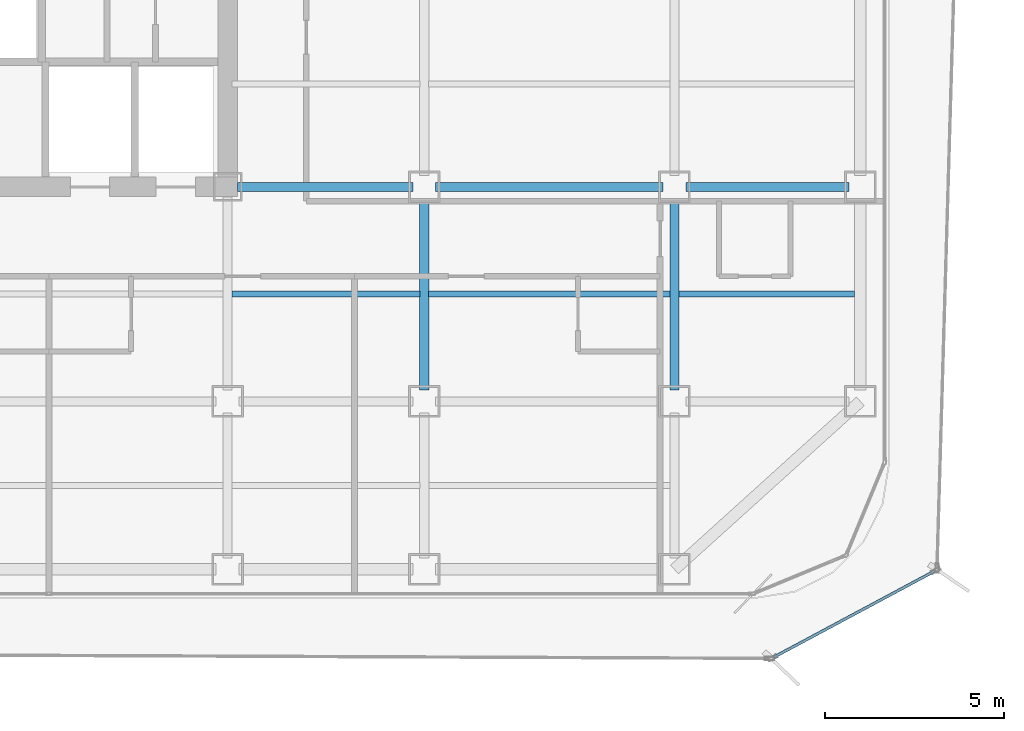
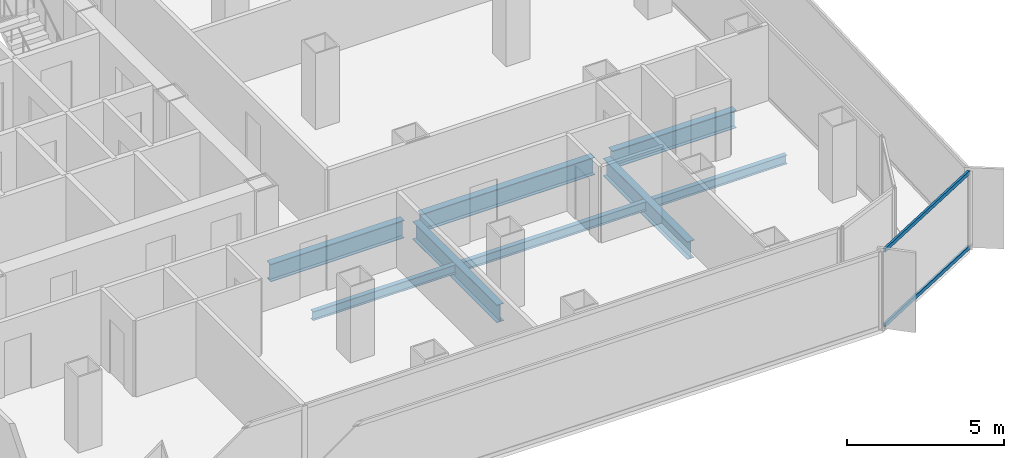
# One storey, part 7 of 21: 8 beams, 2 members, 1 element without a shape of its own.
"""IFC4 building model written with IfcOpenShell, lengths in metres."""

from ifc_helpers import new_model, si_unit, direction, frame, origin, origin_2d, place, context, subcontext, project, spatial, hollow_rectangle, i_section, extrude, source, transform, mapped, material, layer, layer_set, material_profile, profile_set, type_object, element, aggregate, save


model = new_model("IFC4")

# Units and contexts
model_context = context("Model", 3, precision=1e-05, world=origin(), true_north=direction((0.0, 1.0)))
body_context = subcontext(model_context, "Body", "Model", "MODEL_VIEW")
ifc_project = project(units=[si_unit("LENGTHUNIT", "METRE"), si_unit("AREAUNIT", "SQUARE_METRE"), si_unit("VOLUMEUNIT", "CUBIC_METRE"), si_unit("PLANEANGLEUNIT", "RADIAN"), si_unit("MASSUNIT", "GRAM", prefix="KILO")], contexts=[model_context])

# Site, building, storey
site_placement = place(None, origin())
site = spatial("IfcSite", under=ifc_project, at=site_placement, CompositionType="ELEMENT")
building_placement = place(site_placement, origin())
building = spatial("IfcBuilding", under=site, at=building_placement, Name="Kolveth Station Tower", CompositionType="ELEMENT")
storey_placement = place(building_placement, frame((0.0, 0.0, 108.699951171875)))
storey = spatial("IfcBuildingStorey", under=building, at=storey_placement, Name="L29", CompositionType="ELEMENT", Elevation=108.699951171875)

# Beams
ifc_material_1 = material(Name="Steel S355", Category="steel")
ifc_material_profile_1 = material_profile(ifc_material_1, i_section(OverallWidth=0.25390625, OverallDepth=0.68798828125, WebThickness=0.01318359375, FlangeThickness=0.02099609375, at=origin_2d()), Name="W690x152")
ifc_profile_set_1 = profile_set([ifc_material_profile_1], Name="Steel S355")
beam_type_1 = type_object("IfcBeamType", Name="Beam_B4", PredefinedType="BEAM", material=ifc_profile_set_1)
shared_shape_1 = source(origin(), body_context, "Body", "SweptSolid", [
    extrude(i_section(OverallWidth=0.25390625, OverallDepth=0.68798828125, WebThickness=0.01318359375, FlangeThickness=0.02099609375, at=origin_2d()), origin(), (0.0, 0.0, 1.0), 4.559814453125),
])
beam_1_placement = place(storey_placement, frame((41.320068359375, 11.5, -0.593994140625), z_axis=(1.0, 0.0, 0.0), x_axis=(0.0, 1.0, 0.0)))
element("IfcBeam", 1, at=beam_1_placement, inside=storey, type_object=beam_type_1, Name="L29 Primary Girder BM-L29-GY115-7", PredefinedType="BEAM", context=body_context, shape_type="MappedRepresentation", body=[
    mapped(shared_shape_1, transform((0.0, 0.0, 0.0), x_axis=(1.0, 0.0, 0.0), y_axis=(0.0, 1.0, 0.0), z_axis=(0.0, 0.0, 1.0), scale=1.0)),
])
shared_shape_2 = source(origin(), body_context, "Body", "SweptSolid", [
    extrude(i_section(OverallWidth=0.25390625, OverallDepth=0.68798828125, WebThickness=0.01318359375, FlangeThickness=0.02099609375, at=origin_2d()), origin(), (0.0, 0.0, 1.0), 6.35986328125),
])
beam_2_placement = place(storey_placement, frame((34.320068359375, 11.5, -0.593994140625), z_axis=(1.0, 0.0, 0.0), x_axis=(0.0, 1.0, 0.0)))
element("IfcBeam", 2, at=beam_2_placement, inside=storey, type_object=beam_type_1, Name="L29 Primary Girder BM-L29-GY115-6", PredefinedType="BEAM", context=body_context, shape_type="MappedRepresentation", body=[
    mapped(shared_shape_2, transform((0.0, 0.0, 0.0), x_axis=(1.0, 0.0, 0.0), y_axis=(0.0, 1.0, 0.0), z_axis=(0.0, 0.0, 1.0), scale=1.0)),
])
shared_shape_3 = source(origin(), body_context, "Body", "SweptSolid", [
    extrude(i_section(OverallWidth=0.25390625, OverallDepth=0.68798828125, WebThickness=0.01318359375, FlangeThickness=0.02099609375, at=origin_2d()), origin(), (0.0, 0.0, 1.0), 4.89990234375),
])
beam_3_placement = place(storey_placement, frame((28.780029296875, 11.5, -0.593994140625), z_axis=(1.0, 0.0, 0.0), x_axis=(0.0, 1.0, 0.0)))
element("IfcBeam", 3, at=beam_3_placement, inside=storey, type_object=beam_type_1, Name="L29 Primary Girder BM-L29-GY115-5", PredefinedType="BEAM", context=body_context, shape_type="MappedRepresentation", body=[
    mapped(shared_shape_3, transform((0.0, 0.0, 0.0), x_axis=(1.0, 0.0, 0.0), y_axis=(0.0, 1.0, 0.0), z_axis=(0.0, 0.0, 1.0), scale=1.0)),
])
shared_shape_4 = source(origin(), body_context, "Body", "SweptSolid", [
    extrude(i_section(OverallWidth=0.25390625, OverallDepth=0.68798828125, WebThickness=0.01318359375, FlangeThickness=0.02099609375, at=origin_2d()), origin(), (0.0, 0.0, 1.0), 5.35986328125),
])
for number, where, z_axis, x_axis, name in (
    (4, (34.0, 5.820068359375, -0.593994140625), (0.0, 1.0, 0.0), (-1.0, 0.0, 0.0), "L29 Primary Girder BM-L29-GX340-2"),
    (5, (41.0, 5.820068359375, -0.593994140625), (0.0, 1.0, 0.0), (-1.0, 0.0, 0.0), "L29 Primary Girder BM-L29-GX410-2"),
):
    element("IfcBeam", number, at=place(storey_placement, frame(where, z_axis=z_axis, x_axis=x_axis)), inside=storey, type_object=beam_type_1, Name=name, PredefinedType="BEAM", context=body_context, shape_type="MappedRepresentation", body=[
        mapped(shared_shape_4, transform((0.0, 0.0, 0.0), x_axis=(1.0, 0.0, 0.0), y_axis=(0.0, 1.0, 0.0), z_axis=(0.0, 0.0, 1.0), scale=1.0)),
    ])
ifc_material_profile_2 = material_profile(ifc_material_1, i_section(OverallWidth=0.1708984375, OverallDepth=0.35205078125, WebThickness=0.0068359375, FlangeThickness=0.009765625, at=origin_2d()), Name="W360x44")
ifc_profile_set_2 = profile_set([ifc_material_profile_2], Name="Steel S355")
beam_type_2 = type_object("IfcBeamType", Name="Beam_J2", PredefinedType="JOIST", material=ifc_profile_set_2)
shared_shape_5 = source(origin(), body_context, "Body", "SweptSolid", [
    extrude(i_section(OverallWidth=0.1708984375, OverallDepth=0.35205078125, WebThickness=0.0068359375, FlangeThickness=0.009765625, at=origin_2d()), origin(), (0.0, 0.0, 1.0), 4.9150390625),
])
beam_4_placement = place(storey_placement, frame((41.125, 8.5, -0.426025390625), z_axis=(1.0, 0.0, 0.0), x_axis=(0.0, 1.0, 0.0)))
element("IfcBeam", 6, at=beam_4_placement, inside=storey, type_object=beam_type_2, Name="L29 Secondary Joist JST-L29-7-2", PredefinedType="JOIST", context=body_context, shape_type="MappedRepresentation", body=[
    mapped(shared_shape_5, transform((0.0, 0.0, 0.0), x_axis=(1.0, 0.0, 0.0), y_axis=(0.0, 1.0, 0.0), z_axis=(0.0, 0.0, 1.0), scale=1.0)),
])
shared_shape_6 = source(origin(), body_context, "Body", "SweptSolid", [
    extrude(i_section(OverallWidth=0.1708984375, OverallDepth=0.35205078125, WebThickness=0.0068359375, FlangeThickness=0.009765625, at=origin_2d()), origin(), (0.0, 0.0, 1.0), 6.75),
])
beam_5_placement = place(storey_placement, frame((34.125, 8.5, -0.426025390625), z_axis=(1.0, 0.0, 0.0), x_axis=(0.0, 1.0, 0.0)))
element("IfcBeam", 7, at=beam_5_placement, inside=storey, type_object=beam_type_2, Name="L29 Secondary Joist JST-L29-6-2", PredefinedType="JOIST", context=body_context, shape_type="MappedRepresentation", body=[
    mapped(shared_shape_6, transform((0.0, 0.0, 0.0), x_axis=(1.0, 0.0, 0.0), y_axis=(0.0, 1.0, 0.0), z_axis=(0.0, 0.0, 1.0), scale=1.0)),
])
shared_shape_7 = source(origin(), body_context, "Body", "SweptSolid", [
    extrude(i_section(OverallWidth=0.1708984375, OverallDepth=0.35205078125, WebThickness=0.0068359375, FlangeThickness=0.009765625, at=origin_2d()), origin(), (0.0, 0.0, 1.0), 5.25),
])
beam_6_placement = place(storey_placement, frame((28.625, 8.5, -0.426025390625), z_axis=(1.0, 0.0, 0.0), x_axis=(0.0, 1.0, 0.0)))
element("IfcBeam", 8, at=beam_6_placement, inside=storey, type_object=beam_type_2, Name="L29 Secondary Joist JST-L29-5-2", PredefinedType="JOIST", context=body_context, shape_type="MappedRepresentation", body=[
    mapped(shared_shape_7, transform((0.0, 0.0, 0.0), x_axis=(1.0, 0.0, 0.0), y_axis=(0.0, 1.0, 0.0), z_axis=(0.0, 0.0, 1.0), scale=1.0)),
])

# Curtain wall, members
ifc_material_2 = material(Name="Black anodized aluminium 6063-T6 and dark solar glass", Category="aluminium")
ifc_layer = layer(ifc_material_2, 0.159912109375)
ifc_layer_set = layer_set([ifc_layer], Name="Black anodized aluminium 6063-T6 and dark solar glass")
curtain_wall_type = type_object("IfcCurtainWallType", Name="OUTER SKIN CW-OS", PredefinedType="NOTDEFINED", material=ifc_layer_set)
curtain_wall_placement = place(storey_placement, origin())
curtain_wall = element("IfcCurtainWall", 9, at=curtain_wall_placement, inside=storey, type_object=curtain_wall_type, Name="L29 Outer Ventilated Skin Curtain Wall 1", PredefinedType="NOTDEFINED")
ifc_material_3 = material(Name="Black anodized aluminium 6063-T6", Category="aluminium")
ifc_material_profile_3 = material_profile(ifc_material_3, hollow_rectangle(XDim=0.080078125, YDim=0.14990234375, WallThickness=0.0048828125, at=origin_2d()), Name="ALU-80x150x5")
ifc_profile_set_3 = profile_set([ifc_material_profile_3], Name="Black anodized aluminium 6063-T6")
member_type = type_object("IfcMemberType", Name="Transom_TR-OS", PredefinedType="USERDEFINED", material=ifc_profile_set_3)
shared_shape_8 = source(origin(), body_context, "Body", "SweptSolid", [
    extrude(hollow_rectangle(XDim=0.080078125, YDim=0.14990234375, WallThickness=0.0048828125, at=origin_2d()), origin(), (0.0, 0.0, 1.0), 5.084716796875),
])
member_1_placement = place(storey_placement, frame((43.78662109375, -1.653076171875, 0.0400390625), z_axis=(0.881554194318, 0.472082834343, 0.0), x_axis=(-0.472082834343, 0.881554194318, 0.0)))
member_1 = element("IfcMember", 10, at=member_1_placement, type_object=member_type, Name="CW-OS transom 1.1", ObjectType="TRANSOM", PredefinedType="USERDEFINED", context=body_context, shape_type="MappedRepresentation", body=[
    mapped(shared_shape_8, transform((0.0, 0.0, 0.0), x_axis=(1.0, 0.0, 0.0), y_axis=(0.0, 1.0, 0.0), z_axis=(0.0, 0.0, 1.0), scale=1.0)),
])
member_2_placement = place(storey_placement, frame((43.78662109375, -1.653076171875, 2.949951171875), z_axis=(0.881554194318, 0.472082834343, 0.0), x_axis=(-0.472082834343, 0.881554194318, 0.0)))
member_2 = element("IfcMember", 11, at=member_2_placement, type_object=member_type, Name="CW-OS transom 1.2", ObjectType="TRANSOM", PredefinedType="USERDEFINED", context=body_context, shape_type="MappedRepresentation", body=[
    mapped(shared_shape_8, transform((0.0, 0.0, 0.0), x_axis=(1.0, 0.0, 0.0), y_axis=(0.0, 1.0, 0.0), z_axis=(0.0, 0.0, 1.0), scale=1.0)),
])
aggregate(curtain_wall, [member_1, member_2])

save(model, "model.ifc")
